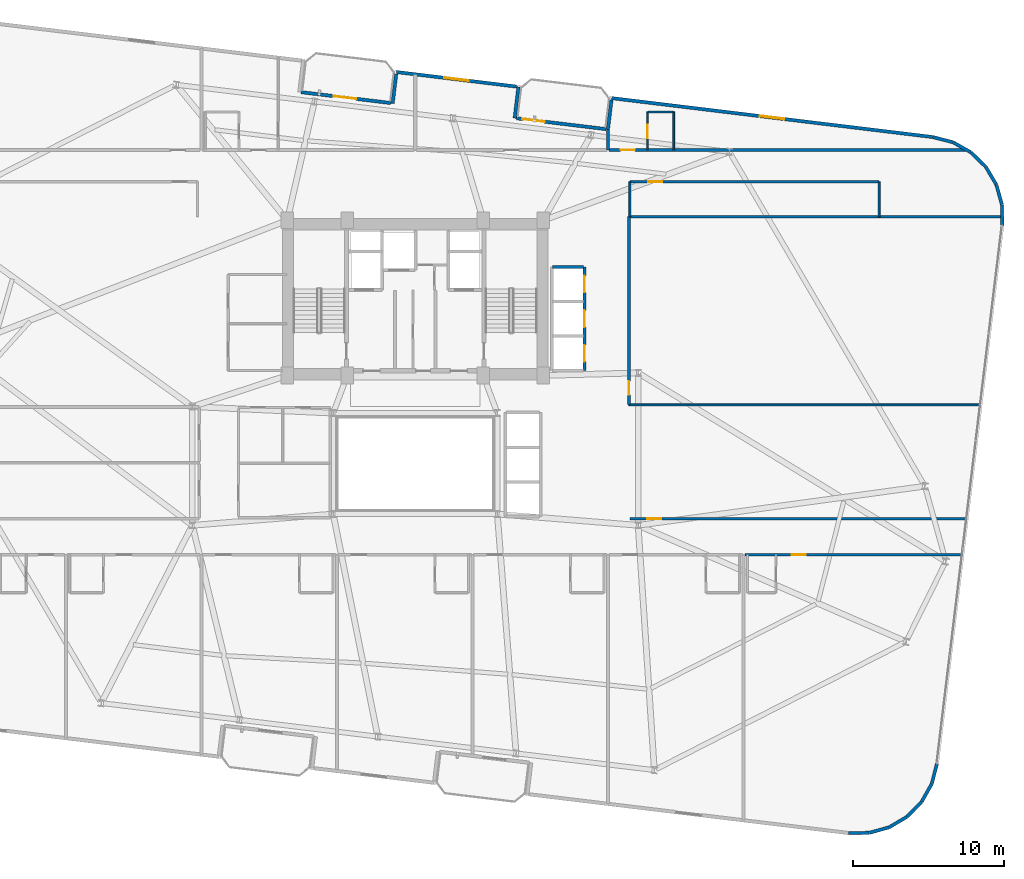
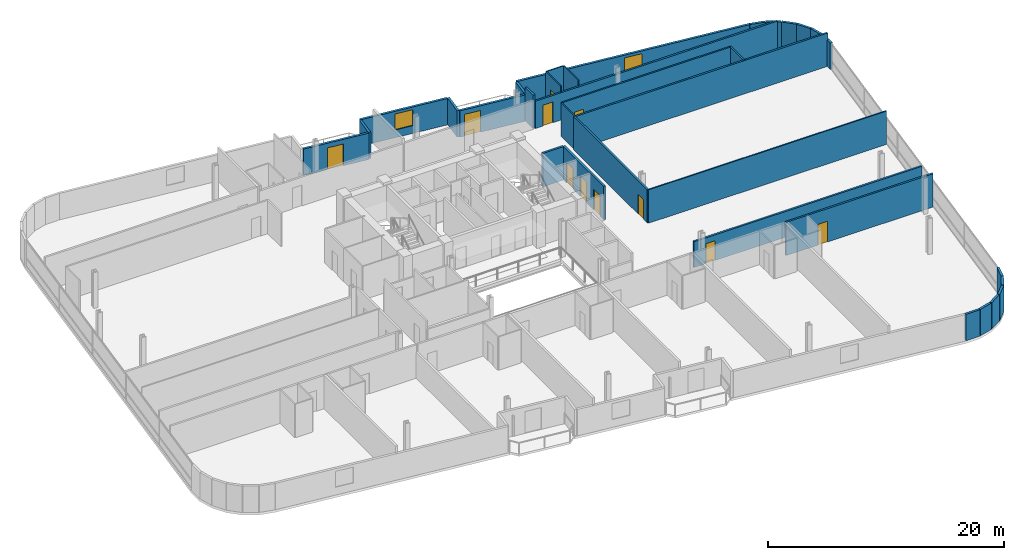
# One storey, part 23 of 26: 34 walls, 11 doors, 2 windows, 13 openings.
"""IFC4 building model written with IfcOpenShell, lengths in metres."""

from ifc_helpers import new_model, si_unit, direction, frame, frame_2d, origin, place, context, subcontext, project, spatial, rectangle, extrude, material, layer, layer_set, type_object, element, fill, save


model = new_model("IFC4")

# Units and contexts
model_context = context("Model", 3, precision=1e-05, world=origin(), true_north=direction((0.0, 1.0)))
body_context = subcontext(model_context, "Body", "Model", "MODEL_VIEW")
ifc_project = project(units=[si_unit("LENGTHUNIT", "METRE"), si_unit("AREAUNIT", "SQUARE_METRE"), si_unit("VOLUMEUNIT", "CUBIC_METRE"), si_unit("PLANEANGLEUNIT", "RADIAN"), si_unit("MASSUNIT", "GRAM", prefix="KILO")], contexts=[model_context])

# Site, building, storey
site_placement = place(None, origin())
site = spatial("IfcSite", under=ifc_project, at=site_placement, CompositionType="ELEMENT")
building_placement = place(site_placement, origin())
building = spatial("IfcBuilding", under=site, at=building_placement, Name="Varnelok Gate Tower", CompositionType="ELEMENT")
storey_placement = place(building_placement, frame((0.0, 0.0, 143.89990234375)))
storey = spatial("IfcBuildingStorey", under=building, at=storey_placement, Name="L36", CompositionType="ELEMENT", Elevation=143.89990234375)

# Wall, opening, door
ifc_material_1 = material(Name="Concrete C45/55", Category="concrete")
ifc_layer_1 = layer(ifc_material_1, 0.219970703125)
ifc_layer_set_1 = layer_set([ifc_layer_1], Name="Concrete C45/55")
wall_type_1 = type_object("IfcWallType", Name="EW-BALC-220", PredefinedType="SOLIDWALL", material=ifc_layer_set_1)
wall_1_placement = place(storey_placement, frame((31.624267578125, 47.5634765625, 0.0), z_axis=(0.0, 0.0, 1.0), x_axis=(0.992729951822, -0.120362962556, 0.0)))
wall_1 = element("IfcWall", 1, at=wall_1_placement, inside=storey, type_object=wall_type_1, Name="L36 North Terrace Envelope Wall 3", PredefinedType="SOLIDWALL", context=body_context, shape_type="SweptSolid", body=[
    extrude(rectangle(XDim=6.0, YDim=0.219970703125, at=frame_2d((3.0, 0.0))), origin(), (0.0, 0.0, 1.0), 2.72998046875),
])
opening_1_placement = place(wall_1_placement, frame((2.176025390625, 0.0, 0.0)))
opening_1 = element("IfcOpeningElement", 2, at=opening_1_placement, cuts=wall_1, Name="Opening BD-1", PredefinedType="OPENING", context=body_context, shape_type="SweptSolid", body=[
    extrude(rectangle(XDim=1.5, YDim=2.25, at=frame_2d((0.75, 1.125))), frame((0.0, 0.119873046875, 0.0), z_axis=(0.0, -1.0, 0.0), x_axis=(1.0, 0.0, 0.0)), (0.0, 0.0, 1.0), 0.239990234375),
])
ifc_material_2 = material(Name="Anodized Aluminum Alloy 6063-T6", Category="aluminium")
door_type_1 = type_object("IfcDoorType", Name="DR-EXT-BALC1500", OperationType="NOTDEFINED", PredefinedType="DOOR", material=ifc_material_2)
door_1_placement = place(opening_1_placement, origin())
door_1 = element("IfcDoor", 3, at=door_1_placement, inside=storey, type_object=door_type_1, Name="L36 North Balcony Glazed Door 3", OperationType="SINGLE_SWING_RIGHT", OverallHeight=2.25, OverallWidth=1.5, PredefinedType="DOOR", context=body_context, shape_type="SweptSolid", body=[
    extrude(rectangle(XDim=1.5, YDim=2.25, at=frame_2d((0.75, 1.125))), frame((0.0, 0.02490234375, 0.0), z_axis=(0.0, -1.0, 0.0), x_axis=(1.0, 0.0, 0.0)), (0.0, 0.0, 1.0), 0.050048828125),
])
fill(opening_1, door_1)

wall_2_placement = place(storey_placement, frame((45.919677734375, 45.83056640625, 0.0), z_axis=(0.0, 0.0, 1.0), x_axis=(0.992729951822, -0.120362962556, 0.0)))
wall_2 = element("IfcWall", 4, at=wall_2_placement, inside=storey, type_object=wall_type_1, Name="L36 North Terrace Envelope Wall 4", PredefinedType="SOLIDWALL", context=body_context, shape_type="SweptSolid", body=[
    extrude(rectangle(XDim=6.0, YDim=0.219970703125, at=frame_2d((3.0, 0.0))), origin(), (0.0, 0.0, 1.0), 2.72998046875),
])
opening_2_placement = place(wall_2_placement, frame((0.39990234375, 0.0, 0.0)))
opening_2 = element("IfcOpeningElement", 5, at=opening_2_placement, cuts=wall_2, Name="Opening BD-1", PredefinedType="OPENING", context=body_context, shape_type="SweptSolid", body=[
    extrude(rectangle(XDim=1.5, YDim=2.25, at=frame_2d((0.75, 1.125))), frame((0.0, 0.119873046875, 0.0), z_axis=(0.0, -1.0, 0.0), x_axis=(1.0, 0.0, 0.0)), (0.0, 0.0, 1.0), 0.239990234375),
])
door_2_placement = place(opening_2_placement, origin())
door_2 = element("IfcDoor", 6, at=door_2_placement, inside=storey, type_object=door_type_1, Name="L36 North Balcony Glazed Door 4", OperationType="SINGLE_SWING_LEFT", OverallHeight=2.25, OverallWidth=1.5, PredefinedType="DOOR", context=body_context, shape_type="SweptSolid", body=[
    extrude(rectangle(XDim=1.5, YDim=2.25, at=frame_2d((0.75, 1.125))), frame((0.0, 0.02490234375, 0.0), z_axis=(0.0, -1.0, 0.0), x_axis=(1.0, 0.0, 0.0)), (0.0, 0.0, 1.0), 0.050048828125),
])
fill(opening_2, door_2)

# Walls
wall_3_placement = place(storey_placement, frame((67.984375, -1.63671875, 0.0), z_axis=(0.0, 0.0, 1.0), x_axis=(0.999945887077, 0.010403024475, 0.0)))
element("IfcWall", 7, at=wall_3_placement, inside=storey, type_object=wall_type_1, Name="L36 Perimeter Facade Closure Wall 14", PredefinedType="SOLIDWALL", context=body_context, shape_type="SweptSolid", body=[
    extrude(rectangle(XDim=1.361083984375, YDim=0.219970703125, at=frame_2d((0.6806640625, 0.0))), origin(), (0.0, 0.0, 1.0), 2.72998046875),
])
wall_4_placement = place(storey_placement, frame((69.369384765625, -1.615966796875, 0.0), z_axis=(0.0, 0.0, 1.0), x_axis=(0.963194128812, 0.268806752562, 0.0)))
element("IfcWall", 8, at=wall_4_placement, inside=storey, type_object=wall_type_1, Name="L36 Perimeter Facade Closure Wall 15", PredefinedType="SOLIDWALL", context=body_context, shape_type="SweptSolid", body=[
    extrude(rectangle(XDim=1.353271484375, YDim=0.219970703125, at=frame_2d((0.6767578125, 0.0))), origin(), (0.0, 0.0, 1.0), 2.72998046875),
])
for number, where, z_axis, x_axis, name in (
    (9, (70.6943359375, -1.239501953125, 0.0), (0.0, 0.0, 1.0), (0.860865455241, 0.508832652228, 0.0), "L36 Perimeter Facade Closure Wall 16"),
    (10, (71.876708984375, -0.533203125, 0.0), (0.0, 0.0, 1.0), (0.69976104234, 0.714376989847, 0.0), "L36 Perimeter Facade Closure Wall 17"),
    (11, (72.835693359375, 0.455078125, 0.0), (0.0, 0.0, 1.0), (0.491117621399, 0.871093268227, 0.0), "L36 Perimeter Facade Closure Wall 18"),
):
    element("IfcWall", number, at=place(storey_placement, frame(where, z_axis=z_axis, x_axis=x_axis)), inside=storey, type_object=wall_type_1, Name=name, PredefinedType="SOLIDWALL", context=body_context, shape_type="SweptSolid", body=[
        extrude(rectangle(XDim=1.35302734375, YDim=0.219970703125, at=frame_2d((0.676513671875, 0.0))), origin(), (0.0, 0.0, 1.0), 2.72998046875),
    ])
wall_5_placement = place(storey_placement, frame((73.506591796875, 1.658203125, 0.0), z_axis=(0.0, 0.0, 1.0), x_axis=(0.248857256909, 0.968540172468, 0.0)))
element("IfcWall", 12, at=wall_5_placement, inside=storey, type_object=wall_type_1, Name="L36 Perimeter Facade Closure Wall 19", PredefinedType="SOLIDWALL", context=body_context, shape_type="SweptSolid", body=[
    extrude(rectangle(XDim=1.352783203125, YDim=0.219970703125, at=frame_2d((0.67626953125, 0.0))), origin(), (0.0, 0.0, 1.0), 2.72998046875),
])
wall_6_placement = place(storey_placement, frame((78.175537109375, 38.706787109375, 0.0), z_axis=(0.0, 0.0, 1.0), x_axis=(-0.010096916637, 0.999949024838, 0.0)))
element("IfcWall", 13, at=wall_6_placement, inside=storey, type_object=wall_type_1, Name="L36 Perimeter Facade Closure Wall 20", PredefinedType="SOLIDWALL", context=body_context, shape_type="SweptSolid", body=[
    extrude(rectangle(XDim=1.378173828125, YDim=0.219970703125, at=frame_2d((0.68896484375, 0.0))), origin(), (0.0, 0.0, 1.0), 2.72998046875),
])
wall_7_placement = place(storey_placement, frame((78.15478515625, 40.10888671875, 0.0), z_axis=(0.0, 0.0, 1.0), x_axis=(-0.268639368869, 0.963240826322, 0.0)))
element("IfcWall", 14, at=wall_7_placement, inside=storey, type_object=wall_type_1, Name="L36 Perimeter Facade Closure Wall 21", PredefinedType="SOLIDWALL", context=body_context, shape_type="SweptSolid", body=[
    extrude(rectangle(XDim=1.353271484375, YDim=0.219970703125, at=frame_2d((0.6767578125, 0.0))), origin(), (0.0, 0.0, 1.0), 2.72998046875),
])
for number, where, z_axis, x_axis, name in (
    (15, (77.7783203125, 41.433837890625, 0.0), (0.0, 0.0, 1.0), (-0.508698913794, 0.860944490142, 0.0), "L36 Perimeter Facade Closure Wall 22"),
    (16, (77.072265625, 42.6162109375, 0.0), (0.0, 0.0, 1.0), (-0.714376989847, 0.69976104234, 0.0), "L36 Perimeter Facade Closure Wall 23"),
    (17, (76.083740234375, 43.5751953125, 0.0), (0.0, 0.0, 1.0), (-0.871093268227, 0.491117621399, 0.0), "L36 Perimeter Facade Closure Wall 24"),
):
    element("IfcWall", number, at=place(storey_placement, frame(where, z_axis=z_axis, x_axis=x_axis)), inside=storey, type_object=wall_type_1, Name=name, PredefinedType="SOLIDWALL", context=body_context, shape_type="SweptSolid", body=[
        extrude(rectangle(XDim=1.35302734375, YDim=0.219970703125, at=frame_2d((0.676513671875, 0.0))), origin(), (0.0, 0.0, 1.0), 2.72998046875),
    ])
wall_8_placement = place(storey_placement, frame((74.880859375, 44.24609375, 0.0), z_axis=(0.0, 0.0, 1.0), x_axis=(-0.968549775063, 0.248819881091, 0.0)))
element("IfcWall", 18, at=wall_8_placement, inside=storey, type_object=wall_type_1, Name="L36 Perimeter Facade Closure Wall 25", PredefinedType="SOLIDWALL", context=body_context, shape_type="SweptSolid", body=[
    extrude(rectangle(XDim=1.36083984375, YDim=0.219970703125, at=frame_2d((0.680419921875, 0.0))), origin(), (0.0, 0.0, 1.0), 2.72998046875),
])

# Wall, opening, window
wall_9_placement = place(storey_placement, frame((73.537841796875, 44.587890625, 0.0), z_axis=(0.0, 0.0, 1.0), x_axis=(-0.992733493583, 0.120333747213, 0.0)))
wall_9 = element("IfcWall", 19, at=wall_9_placement, inside=storey, type_object=wall_type_1, Name="L36 Perimeter Facade Closure Wall 26", PredefinedType="SOLIDWALL", context=body_context, shape_type="SweptSolid", body=[
    extrude(rectangle(XDim=21.447021484375, YDim=0.219970703125, at=frame_2d((10.7236328125, 0.0))), origin(), (0.0, 0.0, 1.0), 2.72998046875),
])
opening_3_placement = place(wall_9_placement, frame((9.898681640625, 0.0, 0.800048828125)))
opening_3 = element("IfcOpeningElement", 20, at=opening_3_placement, cuts=wall_9, Name="Opening WN3", PredefinedType="OPENING", context=body_context, shape_type="SweptSolid", body=[
    extrude(rectangle(XDim=1.64990234375, YDim=1.64990234375, at=frame_2d((0.824951171875, 0.824951171875))), frame((0.0, 0.119873046875, 0.0), z_axis=(0.0, -1.0, 0.0), x_axis=(1.0, 0.0, 0.0)), (0.0, 0.0, 1.0), 0.239990234375),
])
ifc_material_3 = material(Name="Low-E Laminated Double Glazing IGU", Category="glass")
window_type = type_object("IfcWindowType", Name="WN-HTL-1650", PartitioningType="SINGLE_PANEL", PredefinedType="WINDOW", material=ifc_material_3)
window_1_placement = place(opening_3_placement, origin())
window_1 = element("IfcWindow", 21, at=window_1_placement, inside=storey, type_object=window_type, Name="L36 Perimeter Vision Window 26", OverallHeight=1.64990234375, OverallWidth=1.64990234375, PartitioningType="SINGLE_PANEL", PredefinedType="WINDOW", context=body_context, shape_type="SweptSolid", body=[
    extrude(rectangle(XDim=1.64990234375, YDim=1.64990234375, at=frame_2d((0.824951171875, 0.824951171875))), frame((0.0, 0.030029296875, 0.0), z_axis=(0.0, -1.0, 0.0), x_axis=(1.0, 0.0, 0.0)), (0.0, 0.0, 1.0), 0.06005859375),
])
fill(opening_3, window_1)

# Walls
wall_10_placement = place(storey_placement, frame((52.2314453125, 47.044677734375, 0.0), z_axis=(0.0, 0.0, 1.0), x_axis=(-0.120275992932, -0.992740492538, 0.0)))
element("IfcWall", 22, at=wall_10_placement, inside=storey, type_object=wall_type_1, Name="L36 Perimeter Facade Closure Wall 27", PredefinedType="SOLIDWALL", context=body_context, shape_type="SweptSolid", body=[
    extrude(rectangle(XDim=1.97509765625, YDim=0.219970703125, at=frame_2d((0.987548828125, 0.0))), origin(), (0.0, 0.0, 1.0), 2.72998046875),
])
wall_11_placement = place(storey_placement, frame((45.79931640625, 45.8349609375, 0.0), z_axis=(0.0, 0.0, 1.0), x_axis=(0.120314009587, 0.992735885871, 0.0)))
element("IfcWall", 23, at=wall_11_placement, inside=storey, type_object=wall_type_1, Name="L36 Perimeter Facade Closure Wall 28", PredefinedType="SOLIDWALL", context=body_context, shape_type="SweptSolid", body=[
    extrude(rectangle(XDim=2.10009765625, YDim=0.219970703125, at=frame_2d((1.050048828125, 0.0))), origin(), (0.0, 0.0, 1.0), 2.72998046875),
])

# Wall, opening, window
wall_12_placement = place(storey_placement, frame((45.927734375, 47.934814453125, 0.0), z_axis=(0.0, 0.0, 1.0), x_axis=(-0.992730591876, 0.120357683402, 0.0)))
wall_12 = element("IfcWall", 24, at=wall_12_placement, inside=storey, type_object=wall_type_1, Name="L36 Perimeter Facade Closure Wall 29", PredefinedType="SOLIDWALL", context=body_context, shape_type="SweptSolid", body=[
    extrude(rectangle(XDim=8.03466796875, YDim=0.219970703125, at=frame_2d((4.017333984375, 0.0))), origin(), (0.0, 0.0, 1.0), 2.72998046875),
])
opening_4_placement = place(wall_12_placement, frame((3.1923828125, 0.0, 0.800048828125)))
opening_4 = element("IfcOpeningElement", 25, at=opening_4_placement, cuts=wall_12, Name="Opening WN3", PredefinedType="OPENING", context=body_context, shape_type="SweptSolid", body=[
    extrude(rectangle(XDim=1.64990234375, YDim=1.64990234375, at=frame_2d((0.824951171875, 0.824951171875))), frame((0.0, 0.119873046875, 0.0), z_axis=(0.0, -1.0, 0.0), x_axis=(1.0, 0.0, 0.0)), (0.0, 0.0, 1.0), 0.239990234375),
])
window_2_placement = place(opening_4_placement, origin())
window_2 = element("IfcWindow", 26, at=window_2_placement, inside=storey, type_object=window_type, Name="L36 Perimeter Vision Window 29", OverallHeight=1.64990234375, OverallWidth=1.64990234375, PartitioningType="SINGLE_PANEL", PredefinedType="WINDOW", context=body_context, shape_type="SweptSolid", body=[
    extrude(rectangle(XDim=1.64990234375, YDim=1.64990234375, at=frame_2d((0.824951171875, 0.824951171875))), frame((0.0, 0.030029296875, 0.0), z_axis=(0.0, -1.0, 0.0), x_axis=(1.0, 0.0, 0.0)), (0.0, 0.0, 1.0), 0.06005859375),
])
fill(opening_4, window_2)

# Wall
wall_13_placement = place(storey_placement, frame((37.936279296875, 48.777587890625, 0.0), z_axis=(0.0, 0.0, 1.0), x_axis=(-0.120397815541, -0.992725725472, 0.0)))
element("IfcWall", 27, at=wall_13_placement, inside=storey, type_object=wall_type_1, Name="L36 Perimeter Facade Closure Wall 30", PredefinedType="SOLIDWALL", context=body_context, shape_type="SweptSolid", body=[
    extrude(rectangle(XDim=1.97509765625, YDim=0.219970703125, at=frame_2d((0.987548828125, 0.0))), origin(), (0.0, 0.0, 1.0), 2.72998046875),
])

# Wall, opening, door
ifc_material_4 = material(Name="Gypsum Plasterboard Acoustic Partition", Category="gypsum")
ifc_layer_2 = layer(ifc_material_4, 0.179931640625)
ifc_layer_set_2 = layer_set([ifc_layer_2], Name="Gypsum Plasterboard Acoustic Partition")
wall_type_2 = type_object("IfcWallType", Name="PW-CORR-180", PredefinedType="PARTITIONING", material=ifc_layer_set_2)
wall_14_placement = place(storey_placement, frame((61.080078125, 16.85009765625, 0.0), z_axis=(0.0, 0.0, 1.0), x_axis=(1.0, 0.0, 0.0)))
wall_14 = element("IfcWall", 28, at=wall_14_placement, inside=storey, type_object=wall_type_2, Name="Interior Partition", PredefinedType="PARTITIONING", context=body_context, shape_type="SweptSolid", body=[
    extrude(rectangle(XDim=14.38671875, YDim=0.179931640625, at=frame_2d((7.193359375, 0.0))), origin(), (0.0, 0.0, 1.0), 3.4501953125),
])
opening_5_placement = place(wall_14_placement, frame((3.110107421875, 0.0, 0.0)))
opening_5 = element("IfcOpeningElement", 29, at=opening_5_placement, cuts=wall_14, Name="Opening D-HT", PredefinedType="OPENING", context=body_context, shape_type="SweptSolid", body=[
    extrude(rectangle(XDim=0.949951171875, YDim=2.14990234375, at=frame_2d((0.47509765625, 1.074951171875))), frame((0.0, 0.099853515625, 0.0), z_axis=(0.0, -1.0, 0.0), x_axis=(1.0, 0.0, 0.0)), (0.0, 0.0, 1.0), 0.199951171875),
])
ifc_material_5 = material(Name="Engineered Hardwood Timber", Category="wood")
door_type_2 = type_object("IfcDoorType", Name="DR-HTL-950", OperationType="NOTDEFINED", PredefinedType="DOOR", material=ifc_material_5)
door_3_placement = place(opening_5_placement, origin())
door_3 = element("IfcDoor", 30, at=door_3_placement, inside=storey, type_object=door_type_2, Name="L36 Guest Room 07 Entrance Door", OperationType="SINGLE_SWING_RIGHT", OverallHeight=2.14990234375, OverallWidth=0.949951171875, PredefinedType="DOOR", context=body_context, shape_type="SweptSolid", body=[
    extrude(rectangle(XDim=0.949951171875, YDim=2.14990234375, at=frame_2d((0.47509765625, 1.074951171875))), frame((0.0, 0.02490234375, 0.0), z_axis=(0.0, -1.0, 0.0), x_axis=(1.0, 0.0, 0.0)), (0.0, 0.0, 1.0), 0.050048828125),
])
fill(opening_5, door_3)

wall_15_placement = place(storey_placement, frame((52.080078125, 43.72998046875, 0.0), z_axis=(0.0, 0.0, 1.0), x_axis=(1.0, 0.0, 0.0)))
wall_15 = element("IfcWall", 31, at=wall_15_placement, inside=storey, type_object=wall_type_2, Name="Interior Partition", PredefinedType="PARTITIONING", context=body_context, shape_type="SweptSolid", body=[
    extrude(rectangle(XDim=23.689208984375, YDim=0.179931640625, at=frame_2d((11.8447265625, 0.0))), origin(), (0.0, 0.0, 1.0), 2.82421875),
])
opening_6_placement = place(wall_15_placement, frame((0.75634765625, 0.0, 0.0)))
opening_6 = element("IfcOpeningElement", 32, at=opening_6_placement, cuts=wall_15, Name="Opening D-HT", PredefinedType="OPENING", context=body_context, shape_type="SweptSolid", body=[
    extrude(rectangle(XDim=0.949951171875, YDim=2.14990234375, at=frame_2d((0.47509765625, 1.074951171875))), frame((0.0, 0.099853515625, 0.0), z_axis=(0.0, -1.0, 0.0), x_axis=(1.0, 0.0, 0.0)), (0.0, 0.0, 1.0), 0.199951171875),
])
door_4_placement = place(opening_6_placement, origin())
door_4 = element("IfcDoor", 33, at=door_4_placement, inside=storey, type_object=door_type_2, Name="L36 Guest Room 11 Entrance Door", OperationType="SINGLE_SWING_RIGHT", OverallHeight=2.14990234375, OverallWidth=0.949951171875, PredefinedType="DOOR", context=body_context, shape_type="SweptSolid", body=[
    extrude(rectangle(XDim=0.949951171875, YDim=2.14990234375, at=frame_2d((0.47509765625, 1.074951171875))), frame((0.0, 0.02490234375, 0.0), z_axis=(0.0, -1.0, 0.0), x_axis=(1.0, 0.0, 0.0)), (0.0, 0.0, 1.0), 0.050048828125),
])
fill(opening_6, door_4)

wall_16_placement = place(storey_placement, frame((53.449951171875, 19.239990234375, 0.0), z_axis=(0.0, 0.0, 1.0), x_axis=(1.0, 0.0, 0.0)))
wall_16 = element("IfcWall", 34, at=wall_16_placement, inside=storey, type_object=wall_type_2, Name="Interior Partition", PredefinedType="PARTITIONING", context=body_context, shape_type="SweptSolid", body=[
    extrude(rectangle(XDim=22.306640625, YDim=0.179931640625, at=frame_2d((11.1533203125, 0.0))), origin(), (0.0, 0.0, 1.0), 2.662109375),
])
opening_7_placement = place(wall_16_placement, frame((1.14990234375, 0.0, 0.0)))
opening_7 = element("IfcOpeningElement", 35, at=opening_7_placement, cuts=wall_16, Name="Opening D-I3", PredefinedType="OPENING", context=body_context, shape_type="SweptSolid", body=[
    extrude(rectangle(XDim=0.919921875, YDim=2.050048828125, at=frame_2d((0.4599609375, 1.02490234375))), frame((0.0, 0.099853515625, 0.0), z_axis=(0.0, -1.0, 0.0), x_axis=(1.0, 0.0, 0.0)), (0.0, 0.0, 1.0), 0.199951171875),
])
door_type_3 = type_object("IfcDoorType", Name="DR-INT-920", OperationType="NOTDEFINED", PredefinedType="DOOR", material=ifc_material_5)
door_5_placement = place(opening_7_placement, origin())
door_5 = element("IfcDoor", 36, at=door_5_placement, inside=storey, type_object=door_type_3, Name="L36 East Studio Door", OperationType="SINGLE_SWING_LEFT", OverallHeight=2.050048828125, OverallWidth=0.919921875, PredefinedType="DOOR", context=body_context, shape_type="SweptSolid", body=[
    extrude(rectangle(XDim=0.919921875, YDim=2.050048828125, at=frame_2d((0.4599609375, 1.02490234375))), frame((0.0, 0.02490234375, 0.0), z_axis=(0.0, -1.0, 0.0), x_axis=(1.0, 0.0, 0.0)), (0.0, 0.0, 1.0), 0.050048828125),
])
fill(opening_7, door_5)

wall_17_placement = place(storey_placement, frame((53.389892578125, 26.840087890625, 0.0), z_axis=(0.0, 0.0, 1.0), x_axis=(0.0, 1.0, 0.0)))
wall_17 = element("IfcWall", 37, at=wall_17_placement, inside=storey, type_object=wall_type_2, Name="Interior Partition", PredefinedType="PARTITIONING", context=body_context, shape_type="SweptSolid", body=[
    extrude(rectangle(XDim=12.4599609375, YDim=0.179931640625, at=frame_2d((6.22998046875, 0.0))), origin(), (0.0, 0.0, 1.0), 3.4501953125),
])
opening_8_placement = place(wall_17_placement, frame((0.6181640625, 0.0, 0.0)))
opening_8 = element("IfcOpeningElement", 38, at=opening_8_placement, cuts=wall_17, Name="Opening D-I3", PredefinedType="OPENING", context=body_context, shape_type="SweptSolid", body=[
    extrude(rectangle(XDim=0.919921875, YDim=2.050048828125, at=frame_2d((0.4599609375, 1.02490234375))), frame((0.0, 0.099853515625, 0.0), z_axis=(0.0, -1.0, 0.0), x_axis=(1.0, 0.0, 0.0)), (0.0, 0.0, 1.0), 0.199951171875),
])
door_6_placement = place(opening_8_placement, origin())
door_6 = element("IfcDoor", 39, at=door_6_placement, inside=storey, type_object=door_type_3, Name="L36 East Playroom Door", OperationType="SINGLE_SWING_LEFT", OverallHeight=2.050048828125, OverallWidth=0.919921875, PredefinedType="DOOR", context=body_context, shape_type="SweptSolid", body=[
    extrude(rectangle(XDim=0.919921875, YDim=2.050048828125, at=frame_2d((0.4599609375, 1.02490234375))), frame((0.0, 0.02490234375, 0.0), z_axis=(0.0, -1.0, 0.0), x_axis=(1.0, 0.0, 0.0)), (0.0, 0.0, 1.0), 0.050048828125),
])
fill(opening_8, door_6)

# Walls
wall_18_placement = place(storey_placement, frame((53.389892578125, 39.300048828125, 0.0), z_axis=(0.0, 0.0, 1.0), x_axis=(1.0, 0.0, 0.0)))
element("IfcWall", 40, at=wall_18_placement, inside=storey, type_object=wall_type_2, Name="Interior Partition", PredefinedType="PARTITIONING", context=body_context, shape_type="SweptSolid", body=[
    extrude(rectangle(XDim=24.73974609375, YDim=0.179931640625, at=frame_2d((12.369873046875, 0.0))), origin(), (0.0, 0.0, 1.0), 3.4501953125),
])
ifc_layer_3 = layer(ifc_material_4, 0.114990234375)
ifc_layer_set_3 = layer_set([ifc_layer_3], Name="Gypsum Plasterboard Acoustic Partition")
wall_type_3 = type_object("IfcWallType", Name="PW-ENS-125", PredefinedType="PARTITIONING", material=ifc_layer_set_3)
wall_19_placement = place(storey_placement, frame((54.669921875, 46.25, 0.0), z_axis=(0.0, 0.0, 1.0), x_axis=(1.0, 0.0, 0.0)))
element("IfcWall", 41, at=wall_19_placement, inside=storey, type_object=wall_type_3, Name="Interior Partition", PredefinedType="PARTITIONING", context=body_context, shape_type="SweptSolid", body=[
    extrude(rectangle(XDim=1.650146484375, YDim=0.114990234375, at=frame_2d((0.8251953125, 0.0))), origin(), (0.0, 0.0, 1.0), 3.4501953125),
])

# Wall, opening, door
wall_20_placement = place(storey_placement, frame((54.6298828125, 43.72998046875, 0.0), z_axis=(0.0, 0.0, 1.0), x_axis=(0.0, 1.0, 0.0)))
wall_20 = element("IfcWall", 42, at=wall_20_placement, inside=storey, type_object=wall_type_3, Name="Interior Partition", PredefinedType="PARTITIONING", context=body_context, shape_type="SweptSolid", body=[
    extrude(rectangle(XDim=2.52001953125, YDim=0.114990234375, at=frame_2d((1.260009765625, 0.0))), origin(), (0.0, 0.0, 1.0), 3.4501953125),
])
opening_9_placement = place(wall_20_placement, frame((0.760009765625, 0.0, 0.0)))
opening_9 = element("IfcOpeningElement", 43, at=opening_9_placement, cuts=wall_20, Name="Opening D-WC", PredefinedType="OPENING", context=body_context, shape_type="SweptSolid", body=[
    extrude(rectangle(XDim=0.89990234375, YDim=2.050048828125, at=frame_2d((0.449951171875, 1.02490234375))), frame((0.0, 0.0673828125, 0.0), z_axis=(0.0, -1.0, 0.0), x_axis=(1.0, 0.0, 0.0)), (0.0, 0.0, 1.0), 0.135009765625),
])
door_type_4 = type_object("IfcDoorType", Name="DR-BATH-900", OperationType="NOTDEFINED", PredefinedType="DOOR", material=ifc_material_5)
door_7_placement = place(opening_9_placement, origin())
door_7 = element("IfcDoor", 44, at=door_7_placement, inside=storey, type_object=door_type_4, Name="L36 North En-Suite 11 Door", OperationType="SINGLE_SWING_LEFT", OverallHeight=2.050048828125, OverallWidth=0.89990234375, PredefinedType="DOOR", context=body_context, shape_type="SweptSolid", body=[
    extrude(rectangle(XDim=0.89990234375, YDim=2.050048828125, at=frame_2d((0.449951171875, 1.02490234375))), frame((0.0, 0.02490234375, 0.0), z_axis=(0.0, -1.0, 0.0), x_axis=(1.0, 0.0, 0.0)), (0.0, 0.0, 1.0), 0.050048828125),
])
fill(opening_9, door_7)

# Walls
wall_21_placement = place(storey_placement, frame((56.360107421875, 43.72998046875, 0.0), z_axis=(0.0, 0.0, 1.0), x_axis=(0.0, 1.0, 0.0)))
element("IfcWall", 45, at=wall_21_placement, inside=storey, type_object=wall_type_3, Name="Interior Partition", PredefinedType="PARTITIONING", context=body_context, shape_type="SweptSolid", body=[
    extrude(rectangle(XDim=2.52001953125, YDim=0.114990234375, at=frame_2d((1.260009765625, 0.0))), origin(), (0.0, 0.0, 1.0), 3.4501953125),
])
ifc_layer_4 = layer(ifc_material_4, 0.125)
ifc_layer_set_4 = layer_set([ifc_layer_4], Name="Gypsum Plasterboard Acoustic Partition")
wall_type_4 = type_object("IfcWallType", Name="PW-PART-125", PredefinedType="PARTITIONING", material=ifc_layer_set_4)
for number, where, z_axis, x_axis, name in (
    (46, (53.449951171875, 39.300048828125, 0.0), (0.0, 0.0, 1.0), (0.0, 1.0, 0.0), "Interior Partition"),
    (47, (70.0, 39.300048828125, 0.0), (0.0, 0.0, 1.0), (0.0, 1.0, 0.0), "Interior Partition"),
):
    element("IfcWall", number, at=place(storey_placement, frame(where, z_axis=z_axis, x_axis=x_axis)), inside=storey, type_object=wall_type_4, Name=name, PredefinedType="PARTITIONING", context=body_context, shape_type="SweptSolid", body=[
        extrude(rectangle(XDim=2.31005859375, YDim=0.125, at=frame_2d((1.155029296875, 0.0))), origin(), (0.0, 0.0, 1.0), 3.4501953125),
    ])
wall_22_placement = place(storey_placement, frame((53.389892578125, 26.800048828125, 0.0), z_axis=(0.0, 0.0, 1.0), x_axis=(1.0, 0.0, 0.0)))
element("IfcWall", 48, at=wall_22_placement, inside=storey, type_object=wall_type_4, Name="Interior Partition", PredefinedType="PARTITIONING", context=body_context, shape_type="SweptSolid", body=[
    extrude(rectangle(XDim=23.283203125, YDim=0.125, at=frame_2d((11.6416015625, 0.0))), origin(), (0.0, 0.0, 1.0), 3.4501953125),
])

# Wall, opening, door
ifc_layer_5 = layer(ifc_material_4, 0.14990234375)
ifc_layer_set_5 = layer_set([ifc_layer_5], Name="Gypsum Plasterboard Acoustic Partition")
wall_type_5 = type_object("IfcWallType", Name="PW-PART-150", PredefinedType="PARTITIONING", material=ifc_layer_set_5)
wall_23_placement = place(storey_placement, frame((53.449951171875, 41.610107421875, 0.0), z_axis=(0.0, 0.0, 1.0), x_axis=(1.0, 0.0, 0.0)))
wall_23 = element("IfcWall", 49, at=wall_23_placement, inside=storey, type_object=wall_type_5, Name="Interior Partition", PredefinedType="PARTITIONING", context=body_context, shape_type="SweptSolid", body=[
    extrude(rectangle(XDim=16.550048828125, YDim=0.14990234375, at=frame_2d((8.27490234375, 0.0))), origin(), (0.0, 0.0, 1.0), 3.4501953125),
])
opening_10_placement = place(wall_23_placement, frame((1.219970703125, 0.0, 0.0)))
opening_10 = element("IfcOpeningElement", 50, at=opening_10_placement, cuts=wall_23, Name="Opening D-I3", PredefinedType="OPENING", context=body_context, shape_type="SweptSolid", body=[
    extrude(rectangle(XDim=0.919921875, YDim=2.050048828125, at=frame_2d((0.4599609375, 1.02490234375))), frame((0.0, 0.0849609375, 0.0), z_axis=(0.0, -1.0, 0.0), x_axis=(1.0, 0.0, 0.0)), (0.0, 0.0, 1.0), 0.169921875),
])
door_8_placement = place(opening_10_placement, origin())
door_8 = element("IfcDoor", 51, at=door_8_placement, inside=storey, type_object=door_type_3, Name="L36 North Study 2 Door", OperationType="SINGLE_SWING_RIGHT", OverallHeight=2.050048828125, OverallWidth=0.919921875, PredefinedType="DOOR", context=body_context, shape_type="SweptSolid", body=[
    extrude(rectangle(XDim=0.919921875, YDim=2.050048828125, at=frame_2d((0.4599609375, 1.02490234375))), frame((0.0, 0.02490234375, 0.0), z_axis=(0.0, -1.0, 0.0), x_axis=(1.0, 0.0, 0.0)), (0.0, 0.0, 1.0), 0.050048828125),
])
fill(opening_10, door_8)

# Walls
ifc_layer_6 = layer(ifc_material_4, 0.205078125)
ifc_layer_set_6 = layer_set([ifc_layer_6], Name="Gypsum Plasterboard Acoustic Partition")
wall_type_6 = type_object("IfcWallType", Name="PW-PARTY-200", PredefinedType="PARTITIONING", material=ifc_layer_set_6)
wall_24_placement = place(storey_placement, frame((52.0, 43.72998046875, 0.0), z_axis=(0.0, 0.0, 1.0), x_axis=(0.0, 1.0, 0.0)))
element("IfcWall", 52, at=wall_24_placement, inside=storey, type_object=wall_type_6, Name="L36 North Party Wall 3", PredefinedType="PARTITIONING", context=body_context, shape_type="SweptSolid", body=[
    extrude(rectangle(XDim=1.353515625, YDim=0.205078125, at=frame_2d((0.6767578125, 0.0))), origin(), (0.0, 0.0, 1.0), 3.4501953125),
])
ifc_material_6 = material(Name="Concrete C35/45", Category="concrete")
ifc_layer_7 = layer(ifc_material_6, 0.199951171875)
ifc_layer_set_7 = layer_set([ifc_layer_7], Name="Concrete C35/45")
wall_type_7 = type_object("IfcWallType", Name="PW-SHAFT-200", PredefinedType="PARTITIONING", material=ifc_layer_set_7)
wall_25_placement = place(storey_placement, frame((48.320068359375, 35.969970703125, 0.0), z_axis=(0.0, 0.0, 1.0), x_axis=(1.0, 0.0, 0.0)))
element("IfcWall", 53, at=wall_25_placement, inside=storey, type_object=wall_type_7, Name="L36 PM Bank North Wall", PredefinedType="PARTITIONING", context=body_context, shape_type="SweptSolid", body=[
    extrude(rectangle(XDim=2.059814453125, YDim=0.199951171875, at=frame_2d((1.02978515625, 0.0))), origin(), (0.0, 0.0, 1.0), 3.4501953125),
])

# Wall, openings, doors
wall_26_placement = place(storey_placement, frame((50.43994140625, 29.080078125, 0.0), z_axis=(0.0, 0.0, 1.0), x_axis=(0.0, 1.0, 0.0)))
wall_26 = element("IfcWall", 54, at=wall_26_placement, inside=storey, type_object=wall_type_7, Name="L36 PM Bank Front Wall", PredefinedType="PARTITIONING", context=body_context, shape_type="SweptSolid", body=[
    extrude(rectangle(XDim=6.889892578125, YDim=0.199951171875, at=frame_2d((3.44482421875, 0.0))), origin(), (0.0, 0.0, 1.0), 3.4501953125),
])
opening_11_placement = place(wall_26_placement, frame((0.590087890625, 0.0, 0.0)))
opening_11 = element("IfcOpeningElement", 55, at=opening_11_placement, cuts=wall_26, Name="Opening LD-PM1", PredefinedType="OPENING", context=body_context, shape_type="SweptSolid", body=[
    extrude(rectangle(XDim=1.10009765625, YDim=2.14990234375, at=frame_2d((0.550048828125, 1.074951171875))), frame((0.0, 0.10986328125, 0.0), z_axis=(0.0, -1.0, 0.0), x_axis=(1.0, 0.0, 0.0)), (0.0, 0.0, 1.0), 0.219970703125),
])
opening_12_placement = place(wall_26_placement, frame((2.889892578125, 0.0, 0.0)))
opening_12 = element("IfcOpeningElement", 56, at=opening_12_placement, cuts=wall_26, Name="Opening LD-PM2", PredefinedType="OPENING", context=body_context, shape_type="SweptSolid", body=[
    extrude(rectangle(XDim=1.10009765625, YDim=2.14990234375, at=frame_2d((0.550048828125, 1.074951171875))), frame((0.0, 0.10986328125, 0.0), z_axis=(0.0, -1.0, 0.0), x_axis=(1.0, 0.0, 0.0)), (0.0, 0.0, 1.0), 0.219970703125),
])
opening_13_placement = place(wall_26_placement, frame((5.18994140625, 0.0, 0.0)))
opening_13 = element("IfcOpeningElement", 57, at=opening_13_placement, cuts=wall_26, Name="Opening LD-PM3", PredefinedType="OPENING", context=body_context, shape_type="SweptSolid", body=[
    extrude(rectangle(XDim=1.10009765625, YDim=2.14990234375, at=frame_2d((0.550048828125, 1.074951171875))), frame((0.0, 0.10986328125, 0.0), z_axis=(0.0, -1.0, 0.0), x_axis=(1.0, 0.0, 0.0)), (0.0, 0.0, 1.0), 0.219970703125),
])
ifc_material_7 = material(Name="Galvanized Steel Grade S350GD", Category="steel")
door_type_5 = type_object("IfcDoorType", Name="DR-LIFT-PAX1100", OperationType="SLIDING_TO_LEFT", PredefinedType="DOOR", material=ifc_material_7)
door_9_placement = place(opening_11_placement, origin())
door_9 = element("IfcDoor", 58, at=door_9_placement, inside=storey, type_object=door_type_5, Name="L36 Passenger Lift Landing Door LD-PM1", OperationType="SLIDING_TO_LEFT", OverallHeight=2.14990234375, OverallWidth=1.10009765625, PredefinedType="DOOR", context=body_context, shape_type="SweptSolid", body=[
    extrude(rectangle(XDim=1.10009765625, YDim=2.14990234375, at=frame_2d((0.550048828125, 1.074951171875))), frame((0.0, 0.02490234375, 0.0), z_axis=(0.0, -1.0, 0.0), x_axis=(1.0, 0.0, 0.0)), (0.0, 0.0, 1.0), 0.050048828125),
])
fill(opening_11, door_9)
door_10_placement = place(opening_12_placement, origin())
door_10 = element("IfcDoor", 59, at=door_10_placement, inside=storey, type_object=door_type_5, Name="L36 Passenger Lift Landing Door LD-PM2", OperationType="SLIDING_TO_LEFT", OverallHeight=2.14990234375, OverallWidth=1.10009765625, PredefinedType="DOOR", context=body_context, shape_type="SweptSolid", body=[
    extrude(rectangle(XDim=1.10009765625, YDim=2.14990234375, at=frame_2d((0.550048828125, 1.074951171875))), frame((0.0, 0.02490234375, 0.0), z_axis=(0.0, -1.0, 0.0), x_axis=(1.0, 0.0, 0.0)), (0.0, 0.0, 1.0), 0.050048828125),
])
fill(opening_12, door_10)
door_11_placement = place(opening_13_placement, origin())
door_11 = element("IfcDoor", 60, at=door_11_placement, inside=storey, type_object=door_type_5, Name="L36 Passenger Lift Landing Door LD-PM3", OperationType="SLIDING_TO_LEFT", OverallHeight=2.14990234375, OverallWidth=1.10009765625, PredefinedType="DOOR", context=body_context, shape_type="SweptSolid", body=[
    extrude(rectangle(XDim=1.10009765625, YDim=2.14990234375, at=frame_2d((0.550048828125, 1.074951171875))), frame((0.0, 0.02490234375, 0.0), z_axis=(0.0, -1.0, 0.0), x_axis=(1.0, 0.0, 0.0)), (0.0, 0.0, 1.0), 0.050048828125),
])
fill(opening_13, door_11)

save(model, "model.ifc")
